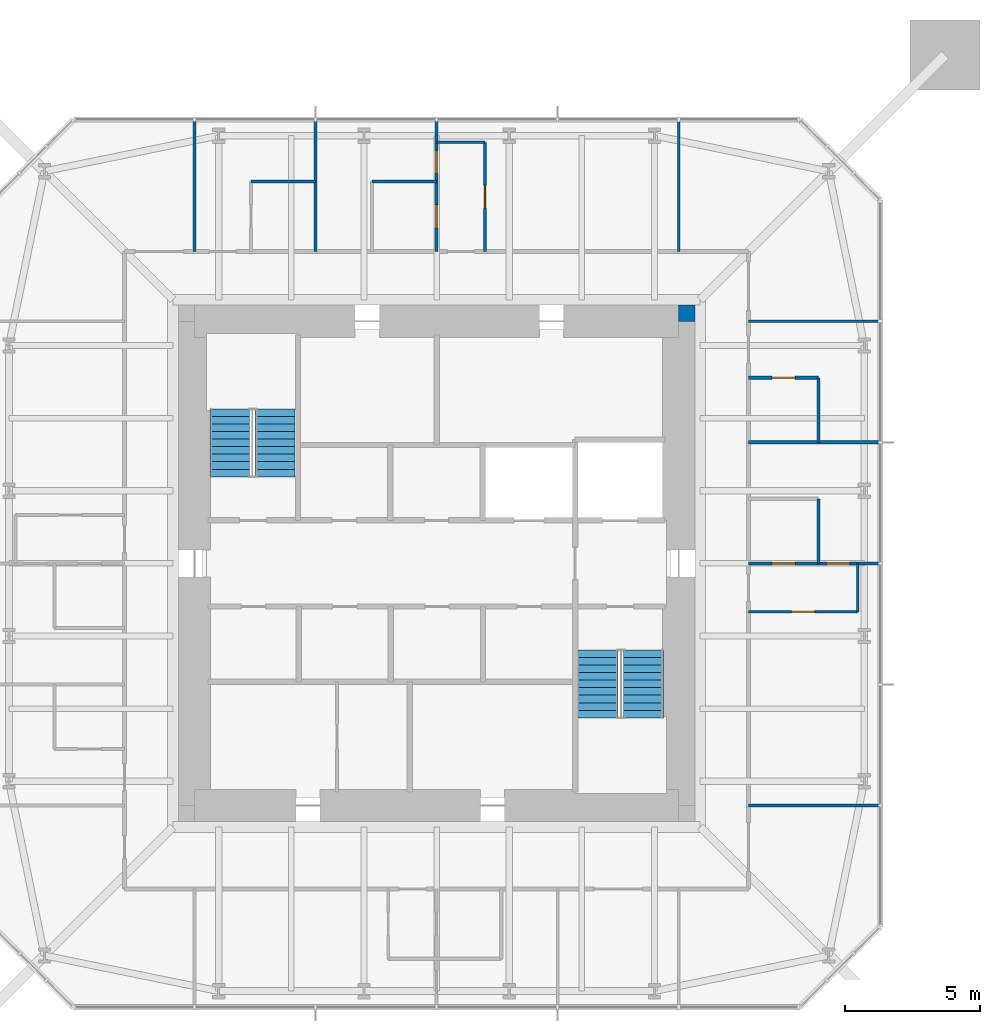
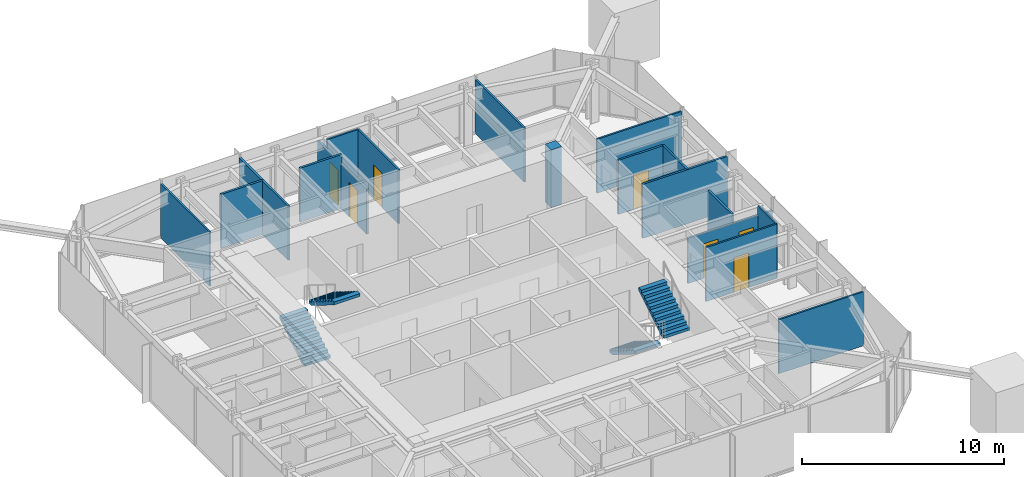
# One storey, part 8 of 9: 18 walls, 7 doors, 4 stair flights, 7 openings, 2 elements without a shape of their own.
"""IFC4 building model written with IfcOpenShell, lengths in metres."""

from ifc_helpers import new_model, si_unit, direction, frame, frame_2d, origin, place, context, subcontext, project, spatial, polyline, rectangle, outline, extrude, material, layer, layer_set, constituent, constituent_set, type_object, element, fill, aggregate, save


model = new_model("IFC4")

# Units and contexts
model_context = context("Model", 3, precision=1e-05, world=origin(), true_north=direction((0.0, 1.0)))
body_context = subcontext(model_context, "Body", "Model", "MODEL_VIEW")
ifc_project = project(units=[si_unit("LENGTHUNIT", "METRE"), si_unit("AREAUNIT", "SQUARE_METRE"), si_unit("VOLUMEUNIT", "CUBIC_METRE"), si_unit("PLANEANGLEUNIT", "RADIAN"), si_unit("MASSUNIT", "GRAM", prefix="KILO")], contexts=[model_context])

# Site, building, storey
site_placement = place(None, origin())
site = spatial("IfcSite", under=ifc_project, at=site_placement, CompositionType="ELEMENT")
building_placement = place(site_placement, origin())
building = spatial("IfcBuilding", under=site, at=building_placement, Name="Iwan Alto Co-Living Towers", CompositionType="ELEMENT")
storey_placement = place(building_placement, frame((0.0, 0.0, 236.0)))
storey = spatial("IfcBuildingStorey", under=building, at=storey_placement, Name="L64", CompositionType="ELEMENT", Elevation=236.0)

# Wall
ifc_material_1 = material(Name="Gypsum board")
ifc_layer_1 = layer(ifc_material_1, 0.012451171875, Name="Board", Category="Finish")
ifc_material_2 = material(Name="Steel ASTM A1003 ST33H cold-formed studs", Category="steel")
ifc_layer_2 = layer(ifc_material_2, 0.074951171875, Name="Studs", Category="Framing")
ifc_layer_3 = layer(ifc_material_1, 0.012451171875, Name="Board", Category="Finish")
ifc_layer_set_1 = layer_set([ifc_layer_1, ifc_layer_2, ifc_layer_3], Name="PARTITION 100")
wall_type_1 = type_object("IfcWallType", Name="PARTITION 100", PredefinedType="PARTITIONING", material=ifc_layer_set_1)
wall_1_placement = place(storey_placement, frame((11.60009765625, -9.0, 0.0), z_axis=(0.0, 0.0, 1.0), x_axis=(1.0, 0.0, 0.0)))
element("IfcWall", 1, at=wall_1_placement, inside=storey, type_object=wall_type_1, Name="Partition L64", PredefinedType="PARTITIONING", context=body_context, shape_type="SweptSolid", body=[
    extrude(rectangle(XDim=4.83984375, YDim=0.10009765625, at=frame_2d((2.419921875, 0.0))), origin(), (0.0, 0.0, 1.0), 3.27001953125),
])

# Wall, opening, door
wall_2_placement = place(storey_placement, frame((11.60009765625, -1.800048828125, 0.0), z_axis=(0.0, 0.0, 1.0), x_axis=(1.0, 0.0, 0.0)))
wall_2 = element("IfcWall", 2, at=wall_2_placement, inside=storey, type_object=wall_type_1, Name="Partition L64", PredefinedType="PARTITIONING", context=body_context, shape_type="SweptSolid", body=[
    extrude(rectangle(XDim=4.0498046875, YDim=0.10009765625, at=frame_2d((2.02490234375, 0.0))), origin(), (0.0, 0.0, 1.0), 3.27001953125),
])
opening_1_placement = place(wall_2_placement, frame((1.60009765625, 0.0, 0.0)))
opening_1 = element("IfcOpeningElement", 3, at=opening_1_placement, cuts=wall_2, Name="Opening D2", PredefinedType="OPENING", context=body_context, shape_type="SweptSolid", body=[
    extrude(rectangle(XDim=0.85009765625, YDim=2.10009765625, at=frame_2d((0.425048828125, 1.050048828125))), frame((0.0, 0.06005859375, 0.0), z_axis=(0.0, -1.0, 0.0), x_axis=(1.0, 0.0, 0.0)), (0.0, 0.0, 1.0), 0.1201171875),
])
ifc_material_3 = material(Name="Timber leaf in steel frame", Category="steel")
door_type = type_object("IfcDoorType", Name="ROOM DOOR 850X2100", OperationType="SINGLE_SWING_LEFT", PredefinedType="DOOR", material=ifc_material_3)
door_1_placement = place(opening_1_placement, frame((0.85009765625, 0.0, 0.0), z_axis=(0.0, 0.0, 1.0), x_axis=(-1.0, 0.0, 0.0)))
door_1 = element("IfcDoor", 4, at=door_1_placement, inside=storey, type_object=door_type, Name="Apartment foyer door L64", OperationType="SINGLE_SWING_RIGHT", OverallHeight=2.10009765625, OverallWidth=0.85009765625, PredefinedType="DOOR", context=body_context, shape_type="SweptSolid", body=[
    extrude(rectangle(XDim=0.85009765625, YDim=2.10009765625, at=frame_2d((0.425048828125, 1.050048828125))), frame((0.0, 0.02490234375, 0.0), z_axis=(0.0, -1.0, 0.0), x_axis=(1.0, 0.0, 0.0)), (0.0, 0.0, 1.0), 0.050048828125),
])
fill(opening_1, door_1)

# Walls
wall_3_placement = place(storey_placement, frame((11.60009765625, 9.0, 0.0), z_axis=(0.0, 0.0, 1.0), x_axis=(1.0, 0.0, 0.0)))
element("IfcWall", 5, at=wall_3_placement, inside=storey, type_object=wall_type_1, Name="Partition L64", PredefinedType="PARTITIONING", context=body_context, shape_type="SweptSolid", body=[
    extrude(rectangle(XDim=4.83984375, YDim=0.10009765625, at=frame_2d((2.419921875, 0.0))), origin(), (0.0, 0.0, 1.0), 3.27001953125),
])
for number, where, z_axis, x_axis, name in (
    (6, (0.0, 15.64990234375, 0.0), (0.0, 0.0, 1.0), (1.0, 0.0, 0.0), "Partition L64"),
    (7, (15.64990234375, -1.800048828125, 0.0), (0.0, 0.0, 1.0), (0.0, 1.0, 0.0), "Partition L64"),
):
    element("IfcWall", number, at=place(storey_placement, frame(where, z_axis=z_axis, x_axis=x_axis)), inside=storey, type_object=wall_type_1, Name=name, PredefinedType="PARTITIONING", context=body_context, shape_type="SweptSolid", body=[
        extrude(rectangle(XDim=1.800048828125, YDim=0.10009765625, at=frame_2d((0.89990234375, 0.0))), origin(), (0.0, 0.0, 1.0), 3.27001953125),
    ])
wall_4_placement = place(storey_placement, frame((9.0, 11.60009765625, 0.0), z_axis=(0.0, 0.0, 1.0), x_axis=(0.0, 1.0, 0.0)))
element("IfcWall", 8, at=wall_4_placement, inside=storey, type_object=wall_type_1, Name="Partition L64", PredefinedType="PARTITIONING", context=body_context, shape_type="SweptSolid", body=[
    extrude(rectangle(XDim=4.83984375, YDim=0.10009765625, at=frame_2d((2.419921875, 0.0))), origin(), (0.0, 0.0, 1.0), 3.27001953125),
])

# Wall, opening, door
wall_5_placement = place(storey_placement, frame((1.800048828125, 11.60009765625, 0.0), z_axis=(0.0, 0.0, 1.0), x_axis=(0.0, 1.0, 0.0)))
wall_5 = element("IfcWall", 9, at=wall_5_placement, inside=storey, type_object=wall_type_1, Name="Partition L64", PredefinedType="PARTITIONING", context=body_context, shape_type="SweptSolid", body=[
    extrude(rectangle(XDim=4.0498046875, YDim=0.10009765625, at=frame_2d((2.02490234375, 0.0))), origin(), (0.0, 0.0, 1.0), 3.27001953125),
])
opening_2_placement = place(wall_5_placement, frame((1.60009765625, 0.0, 0.0)))
opening_2 = element("IfcOpeningElement", 10, at=opening_2_placement, cuts=wall_5, Name="Opening D2", PredefinedType="OPENING", context=body_context, shape_type="SweptSolid", body=[
    extrude(rectangle(XDim=0.85009765625, YDim=2.10009765625, at=frame_2d((0.425048828125, 1.050048828125))), frame((0.0, 0.06005859375, 0.0), z_axis=(0.0, -1.0, 0.0), x_axis=(1.0, 0.0, 0.0)), (0.0, 0.0, 1.0), 0.1201171875),
])
door_2_placement = place(opening_2_placement, frame((0.85009765625, 0.0, 0.0), z_axis=(0.0, 0.0, 1.0), x_axis=(-1.0, 0.0, 0.0)))
door_2 = element("IfcDoor", 11, at=door_2_placement, inside=storey, type_object=door_type, Name="Apartment foyer door L64", OperationType="SINGLE_SWING_RIGHT", OverallHeight=2.10009765625, OverallWidth=0.85009765625, PredefinedType="DOOR", context=body_context, shape_type="SweptSolid", body=[
    extrude(rectangle(XDim=0.85009765625, YDim=2.10009765625, at=frame_2d((0.425048828125, 1.050048828125))), frame((0.0, 0.02490234375, 0.0), z_axis=(0.0, -1.0, 0.0), x_axis=(1.0, 0.0, 0.0)), (0.0, 0.0, 1.0), 0.050048828125),
])
fill(opening_2, door_2)

# Walls
wall_6_placement = place(storey_placement, frame((-9.0, 11.60009765625, 0.0), z_axis=(0.0, 0.0, 1.0), x_axis=(0.0, 1.0, 0.0)))
element("IfcWall", 12, at=wall_6_placement, inside=storey, type_object=wall_type_1, Name="Partition L64", PredefinedType="PARTITIONING", context=body_context, shape_type="SweptSolid", body=[
    extrude(rectangle(XDim=4.83984375, YDim=0.10009765625, at=frame_2d((2.419921875, 0.0))), origin(), (0.0, 0.0, 1.0), 3.27001953125),
])
ifc_material_4 = material(Name="Concrete f'c 70 MPa", Category="concrete")
ifc_layer_4 = layer(ifc_material_4, 0.60009765625)
ifc_layer_set_2 = layer_set([ifc_layer_4], Name="T1 CORE CORNER FILL 600")
wall_type_2 = type_object("IfcWallType", Name="T1 CORE CORNER FILL 600", PredefinedType="SOLIDWALL", material=ifc_layer_set_2)
wall_7_placement = place(storey_placement, frame((9.0, 9.300048828125, 0.0), z_axis=(0.0, 0.0, 1.0), x_axis=(1.0, 0.0, 0.0)))
element("IfcWall", 13, at=wall_7_placement, inside=storey, type_object=wall_type_2, Name="T1 core corner NE L64", PredefinedType="SOLIDWALL", context=body_context, shape_type="SweptSolid", body=[
    extrude(rectangle(XDim=0.60009765625, YDim=0.60009765625, at=frame_2d((0.300048828125, 0.0))), origin(), (0.0, 0.0, 1.0), 3.5),
])

# Wall, openings, doors
ifc_material_5 = material(Name="Cement board")
ifc_layer_5 = layer(ifc_material_5, 0.012451171875, Name="Board", Category="Finish")
ifc_layer_6 = layer(ifc_material_2, 0.094970703125, Name="Studs", Category="Framing")
ifc_layer_7 = layer(ifc_material_5, 0.012451171875, Name="Board", Category="Finish")
ifc_layer_set_3 = layer_set([ifc_layer_5, ifc_layer_6, ifc_layer_7], Name="WET AREA PARTITION 120")
wall_type_3 = type_object("IfcWallType", Name="WET AREA PARTITION 120", PredefinedType="PARTITIONING", material=ifc_layer_set_3)
wall_8_placement = place(storey_placement, frame((11.60009765625, 0.0, 0.0), z_axis=(0.0, 0.0, 1.0), x_axis=(1.0, 0.0, 0.0)))
wall_8 = element("IfcWall", 14, at=wall_8_placement, inside=storey, type_object=wall_type_3, Name="Partition L64", PredefinedType="PARTITIONING", context=body_context, shape_type="SweptSolid", body=[
    extrude(rectangle(XDim=4.83984375, YDim=0.1201171875, at=frame_2d((2.419921875, 0.0))), origin(), (0.0, 0.0, 1.0), 2.736572265625),
])
opening_3_placement = place(wall_8_placement, frame((2.89990234375, 0.0, 0.0)))
opening_3 = element("IfcOpeningElement", 15, at=opening_3_placement, cuts=wall_8, Name="Opening D2", PredefinedType="OPENING", context=body_context, shape_type="SweptSolid", body=[
    extrude(rectangle(XDim=0.85009765625, YDim=2.10009765625, at=frame_2d((0.425048828125, 1.050048828125))), frame((0.0, 0.070068359375, 0.0), z_axis=(0.0, -1.0, 0.0), x_axis=(1.0, 0.0, 0.0)), (0.0, 0.0, 1.0), 0.14013671875),
])
opening_4_placement = place(wall_8_placement, frame((0.875, 0.0, 0.0)))
opening_4 = element("IfcOpeningElement", 16, at=opening_4_placement, cuts=wall_8, Name="Opening D2", PredefinedType="OPENING", context=body_context, shape_type="SweptSolid", body=[
    extrude(rectangle(XDim=0.85009765625, YDim=2.10009765625, at=frame_2d((0.425048828125, 1.050048828125))), frame((0.0, 0.070068359375, 0.0), z_axis=(0.0, -1.0, 0.0), x_axis=(1.0, 0.0, 0.0)), (0.0, 0.0, 1.0), 0.14013671875),
])
door_3_placement = place(opening_3_placement, origin())
door_3 = element("IfcDoor", 17, at=door_3_placement, inside=storey, type_object=door_type, Name="Bedroom door L64", OperationType="SINGLE_SWING_LEFT", OverallHeight=2.10009765625, OverallWidth=0.85009765625, PredefinedType="DOOR", context=body_context, shape_type="SweptSolid", body=[
    extrude(rectangle(XDim=0.85009765625, YDim=2.10009765625, at=frame_2d((0.425048828125, 1.050048828125))), frame((0.0, 0.02490234375, 0.0), z_axis=(0.0, -1.0, 0.0), x_axis=(1.0, 0.0, 0.0)), (0.0, 0.0, 1.0), 0.050048828125),
])
fill(opening_3, door_3)
door_4_placement = place(opening_4_placement, origin())
door_4 = element("IfcDoor", 18, at=door_4_placement, inside=storey, type_object=door_type, Name="Bathroom door L64", OperationType="SINGLE_SWING_LEFT", OverallHeight=2.10009765625, OverallWidth=0.85009765625, PredefinedType="DOOR", context=body_context, shape_type="SweptSolid", body=[
    extrude(rectangle(XDim=0.85009765625, YDim=2.10009765625, at=frame_2d((0.425048828125, 1.050048828125))), frame((0.0, 0.02490234375, 0.0), z_axis=(0.0, -1.0, 0.0), x_axis=(1.0, 0.0, 0.0)), (0.0, 0.0, 1.0), 0.050048828125),
])
fill(opening_4, door_4)

# Wall
wall_9_placement = place(storey_placement, frame((11.60009765625, 4.5, 0.0), z_axis=(0.0, 0.0, 1.0), x_axis=(1.0, 0.0, 0.0)))
element("IfcWall", 19, at=wall_9_placement, inside=storey, type_object=wall_type_3, Name="Partition L64", PredefinedType="PARTITIONING", context=body_context, shape_type="SweptSolid", body=[
    extrude(rectangle(XDim=4.83984375, YDim=0.1201171875, at=frame_2d((2.419921875, 0.0))), origin(), (0.0, 0.0, 1.0), 3.27001953125),
])

# Wall, opening, door
wall_10_placement = place(storey_placement, frame((11.60009765625, 6.89990234375, 0.0), z_axis=(0.0, 0.0, 1.0), x_axis=(1.0, 0.0, 0.0)))
wall_10 = element("IfcWall", 20, at=wall_10_placement, inside=storey, type_object=wall_type_3, Name="Partition L64", PredefinedType="PARTITIONING", context=body_context, shape_type="SweptSolid", body=[
    extrude(rectangle(XDim=2.599853515625, YDim=0.1201171875, at=frame_2d((1.2998046875, 0.0))), origin(), (0.0, 0.0, 1.0), 3.27001953125),
])
opening_5_placement = place(wall_10_placement, frame((0.875, 0.0, 0.0)))
opening_5 = element("IfcOpeningElement", 21, at=opening_5_placement, cuts=wall_10, Name="Opening D2", PredefinedType="OPENING", context=body_context, shape_type="SweptSolid", body=[
    extrude(rectangle(XDim=0.85009765625, YDim=2.10009765625, at=frame_2d((0.425048828125, 1.050048828125))), frame((0.0, 0.070068359375, 0.0), z_axis=(0.0, -1.0, 0.0), x_axis=(1.0, 0.0, 0.0)), (0.0, 0.0, 1.0), 0.14013671875),
])
door_5_placement = place(opening_5_placement, origin())
door_5 = element("IfcDoor", 22, at=door_5_placement, inside=storey, type_object=door_type, Name="En-suite shower room door L64", OperationType="SINGLE_SWING_LEFT", OverallHeight=2.10009765625, OverallWidth=0.85009765625, PredefinedType="DOOR", context=body_context, shape_type="SweptSolid", body=[
    extrude(rectangle(XDim=0.85009765625, YDim=2.10009765625, at=frame_2d((0.425048828125, 1.050048828125))), frame((0.0, 0.02490234375, 0.0), z_axis=(0.0, -1.0, 0.0), x_axis=(1.0, 0.0, 0.0)), (0.0, 0.0, 1.0), 0.050048828125),
])
fill(opening_5, door_5)

# Walls
for number, where, z_axis, x_axis, name in (
    (23, (-6.89990234375, 14.199951171875, 0.0), (0.0, 0.0, 1.0), (1.0, 0.0, 0.0), "Partition L64"),
    (24, (-2.39990234375, 14.199951171875, 0.0), (0.0, 0.0, 1.0), (1.0, 0.0, 0.0), "Partition L64"),
    (25, (14.199951171875, 0.0, 0.0), (0.0, 0.0, 1.0), (0.0, 1.0, 0.0), "Partition L64"),
    (26, (14.199951171875, 4.5, 0.0), (0.0, 0.0, 1.0), (0.0, 1.0, 0.0), "Partition L64"),
):
    element("IfcWall", number, at=place(storey_placement, frame(where, z_axis=z_axis, x_axis=x_axis)), inside=storey, type_object=wall_type_3, Name=name, PredefinedType="PARTITIONING", context=body_context, shape_type="SweptSolid", body=[
        extrude(rectangle(XDim=2.39990234375, YDim=0.1201171875, at=frame_2d((1.199951171875, 0.0))), origin(), (0.0, 0.0, 1.0), 3.27001953125),
    ])

# Wall, openings, doors
wall_11_placement = place(storey_placement, frame((0.0, 11.60009765625, 0.0), z_axis=(0.0, 0.0, 1.0), x_axis=(0.0, 1.0, 0.0)))
wall_11 = element("IfcWall", 27, at=wall_11_placement, inside=storey, type_object=wall_type_3, Name="Partition L64", PredefinedType="PARTITIONING", context=body_context, shape_type="SweptSolid", body=[
    extrude(rectangle(XDim=4.83984375, YDim=0.1201171875, at=frame_2d((2.419921875, 0.0))), origin(), (0.0, 0.0, 1.0), 2.736572265625),
])
opening_6_placement = place(wall_11_placement, frame((2.89990234375, 0.0, 0.0)))
opening_6 = element("IfcOpeningElement", 28, at=opening_6_placement, cuts=wall_11, Name="Opening D2", PredefinedType="OPENING", context=body_context, shape_type="SweptSolid", body=[
    extrude(rectangle(XDim=0.85009765625, YDim=2.10009765625, at=frame_2d((0.425048828125, 1.050048828125))), frame((0.0, 0.070068359375, 0.0), z_axis=(0.0, -1.0, 0.0), x_axis=(1.0, 0.0, 0.0)), (0.0, 0.0, 1.0), 0.14013671875),
])
opening_7_placement = place(wall_11_placement, frame((0.875, 0.0, 0.0)))
opening_7 = element("IfcOpeningElement", 29, at=opening_7_placement, cuts=wall_11, Name="Opening D2", PredefinedType="OPENING", context=body_context, shape_type="SweptSolid", body=[
    extrude(rectangle(XDim=0.85009765625, YDim=2.10009765625, at=frame_2d((0.425048828125, 1.050048828125))), frame((0.0, 0.070068359375, 0.0), z_axis=(0.0, -1.0, 0.0), x_axis=(1.0, 0.0, 0.0)), (0.0, 0.0, 1.0), 0.14013671875),
])
door_6_placement = place(opening_6_placement, origin())
door_6 = element("IfcDoor", 30, at=door_6_placement, inside=storey, type_object=door_type, Name="Bedroom door L64", OperationType="SINGLE_SWING_LEFT", OverallHeight=2.10009765625, OverallWidth=0.85009765625, PredefinedType="DOOR", context=body_context, shape_type="SweptSolid", body=[
    extrude(rectangle(XDim=0.85009765625, YDim=2.10009765625, at=frame_2d((0.425048828125, 1.050048828125))), frame((0.0, 0.02490234375, 0.0), z_axis=(0.0, -1.0, 0.0), x_axis=(1.0, 0.0, 0.0)), (0.0, 0.0, 1.0), 0.050048828125),
])
fill(opening_6, door_6)
door_7_placement = place(opening_7_placement, origin())
door_7 = element("IfcDoor", 31, at=door_7_placement, inside=storey, type_object=door_type, Name="Bathroom door L64", OperationType="SINGLE_SWING_LEFT", OverallHeight=2.10009765625, OverallWidth=0.85009765625, PredefinedType="DOOR", context=body_context, shape_type="SweptSolid", body=[
    extrude(rectangle(XDim=0.85009765625, YDim=2.10009765625, at=frame_2d((0.425048828125, 1.050048828125))), frame((0.0, 0.02490234375, 0.0), z_axis=(0.0, -1.0, 0.0), x_axis=(1.0, 0.0, 0.0)), (0.0, 0.0, 1.0), 0.050048828125),
])
fill(opening_7, door_7)

# Wall
wall_12_placement = place(storey_placement, frame((-4.5, 11.60009765625, 0.0), z_axis=(0.0, 0.0, 1.0), x_axis=(0.0, 1.0, 0.0)))
element("IfcWall", 32, at=wall_12_placement, inside=storey, type_object=wall_type_3, Name="Partition L64", PredefinedType="PARTITIONING", context=body_context, shape_type="SweptSolid", body=[
    extrude(rectangle(XDim=4.83984375, YDim=0.1201171875, at=frame_2d((2.419921875, 0.0))), origin(), (0.0, 0.0, 1.0), 3.27001953125),
])

# Stair, stair flights
ifc_material_6 = material(Name="Steel ASTM A36", Category="steel")
ifc_constituent_1 = constituent(ifc_material_6, Name="Stringers", Category="LoadBearing")
ifc_material_7 = material(Name="Concrete f'c 30 MPa", Category="concrete")
ifc_constituent_2 = constituent(ifc_material_7, Name="Tread fill", Category="Finish")
ifc_constituent_set_1 = constituent_set(constituents=[ifc_constituent_1, ifc_constituent_2], Name="STAIR 3500 TWO-FLIGHT T1 CORE")
stair_type = type_object("IfcStairType", Name="STAIR 3500 TWO-FLIGHT T1 CORE", PredefinedType="HALF_TURN_STAIR", material=ifc_constituent_set_1)
stair_1_placement = place(storey_placement, origin())
stair_1 = element("IfcStair", 33, at=stair_1_placement, inside=storey, type_object=stair_type, Name="Stair T1-S1 L64 to L65", PredefinedType="HALF_TURN_STAIR")
ifc_constituent_3 = constituent(ifc_material_6, Name="Stringers", Category="LoadBearing")
ifc_constituent_4 = constituent(ifc_material_7, Name="Tread fill", Category="Finish")
ifc_constituent_set_2 = constituent_set(constituents=[ifc_constituent_3, ifc_constituent_4], Name="STAIR FLIGHT 10 RISERS 280 GOING")
stair_flight_type = type_object("IfcStairFlightType", Name="STAIR FLIGHT 10 RISERS 280 GOING", PredefinedType="STRAIGHT", material=ifc_constituent_set_2)
stair_flight_1_placement = place(storey_placement, frame((-7.68994140625, 3.219970703125, 0.0), z_axis=(0.0, 0.0, 1.0), x_axis=(0.0, 1.0, 0.0)))
stair_flight_1 = element("IfcStairFlight", 34, at=stair_flight_1_placement, type_object=stair_flight_type, Name="T1-S1 flight 1", NumberOfRisers=10, NumberOfTreads=9, PredefinedType="STRAIGHT", RiserHeight=0.175, TreadLength=0.28, context=body_context, shape_type="SweptSolid", body=[
    extrude(outline(polyline([(0.0, 0.0), (0.0, 0.175048828125), (0.280029296875, 0.175048828125), (0.280029296875, 0.35009765625), (0.56005859375, 0.35009765625), (0.56005859375, 0.52490234375), (0.840087890625, 0.52490234375), (0.840087890625, 0.699951171875), (1.1201171875, 0.699951171875), (1.1201171875, 0.875), (1.39990234375, 0.875), (1.39990234375, 1.050048828125), (1.679931640625, 1.050048828125), (1.679931640625, 1.22509765625), (1.9599609375, 1.22509765625), (1.9599609375, 1.39990234375), (2.239990234375, 1.39990234375), (2.239990234375, 1.574951171875), (2.52001953125, 1.574951171875), (2.52001953125, 1.75), (2.52001953125, 1.398193359375), (0.28271484375, 0.0), (0.0, 0.0)])), frame((0.0, 0.739990234375, 0.0), z_axis=(0.0, -1.0, 0.0), x_axis=(1.0, 0.0, 0.0)), (0.0, 0.0, 1.0), 1.47998046875),
])
stair_flight_2_placement = place(storey_placement, frame((-6.010009765625, 5.739990234375, 1.75), z_axis=(0.0, 0.0, 1.0), x_axis=(0.0, -1.0, 0.0)))
stair_flight_2 = element("IfcStairFlight", 35, at=stair_flight_2_placement, type_object=stair_flight_type, Name="T1-S1 flight 2", NumberOfRisers=10, NumberOfTreads=9, PredefinedType="STRAIGHT", RiserHeight=0.175, TreadLength=0.28, context=body_context, shape_type="SweptSolid", body=[
    extrude(outline(polyline([(0.0, 0.0), (0.0, 0.175048828125), (0.280029296875, 0.175048828125), (0.280029296875, 0.35009765625), (0.56005859375, 0.35009765625), (0.56005859375, 0.52490234375), (0.840087890625, 0.52490234375), (0.840087890625, 0.699951171875), (1.1201171875, 0.699951171875), (1.1201171875, 0.875), (1.39990234375, 0.875), (1.39990234375, 1.050048828125), (1.679931640625, 1.050048828125), (1.679931640625, 1.22509765625), (1.9599609375, 1.22509765625), (1.9599609375, 1.39990234375), (2.239990234375, 1.39990234375), (2.239990234375, 1.574951171875), (2.52001953125, 1.574951171875), (2.52001953125, 1.75), (2.52001953125, 1.398193359375), (0.28271484375, 0.0), (0.0, 0.0)])), frame((0.0, 0.739990234375, 0.0), z_axis=(0.0, -1.0, 0.0), x_axis=(1.0, 0.0, 0.0)), (0.0, 0.0, 1.0), 1.47998046875),
])
aggregate(stair_1, [stair_flight_1, stair_flight_2])

stair_2_placement = place(storey_placement, origin())
stair_2 = element("IfcStair", 36, at=stair_2_placement, inside=storey, type_object=stair_type, Name="Stair T1-S2 L64 to L65", PredefinedType="HALF_TURN_STAIR")
stair_flight_3_placement = place(storey_placement, frame((6.010009765625, -3.219970703125, 0.0), z_axis=(0.0, 0.0, 1.0), x_axis=(0.0, -1.0, 0.0)))
stair_flight_3 = element("IfcStairFlight", 37, at=stair_flight_3_placement, type_object=stair_flight_type, Name="T1-S2 flight 1", NumberOfRisers=10, NumberOfTreads=9, PredefinedType="STRAIGHT", RiserHeight=0.175, TreadLength=0.28, context=body_context, shape_type="SweptSolid", body=[
    extrude(outline(polyline([(0.0, 0.0), (0.0, 0.175048828125), (0.280029296875, 0.175048828125), (0.280029296875, 0.35009765625), (0.56005859375, 0.35009765625), (0.56005859375, 0.52490234375), (0.840087890625, 0.52490234375), (0.840087890625, 0.699951171875), (1.1201171875, 0.699951171875), (1.1201171875, 0.875), (1.39990234375, 0.875), (1.39990234375, 1.050048828125), (1.679931640625, 1.050048828125), (1.679931640625, 1.22509765625), (1.9599609375, 1.22509765625), (1.9599609375, 1.39990234375), (2.239990234375, 1.39990234375), (2.239990234375, 1.574951171875), (2.52001953125, 1.574951171875), (2.52001953125, 1.75), (2.52001953125, 1.398193359375), (0.28271484375, 0.0), (0.0, 0.0)])), frame((0.0, 0.739990234375, 0.0), z_axis=(0.0, -1.0, 0.0), x_axis=(1.0, 0.0, 0.0)), (0.0, 0.0, 1.0), 1.47998046875),
])
stair_flight_4_placement = place(storey_placement, frame((7.68994140625, -5.739990234375, 1.75), z_axis=(0.0, 0.0, 1.0), x_axis=(0.0, 1.0, 0.0)))
stair_flight_4 = element("IfcStairFlight", 38, at=stair_flight_4_placement, type_object=stair_flight_type, Name="T1-S2 flight 2", NumberOfRisers=10, NumberOfTreads=9, PredefinedType="STRAIGHT", RiserHeight=0.175, TreadLength=0.28, context=body_context, shape_type="SweptSolid", body=[
    extrude(outline(polyline([(0.0, 0.0), (0.0, 0.175048828125), (0.280029296875, 0.175048828125), (0.280029296875, 0.35009765625), (0.56005859375, 0.35009765625), (0.56005859375, 0.52490234375), (0.840087890625, 0.52490234375), (0.840087890625, 0.699951171875), (1.1201171875, 0.699951171875), (1.1201171875, 0.875), (1.39990234375, 0.875), (1.39990234375, 1.050048828125), (1.679931640625, 1.050048828125), (1.679931640625, 1.22509765625), (1.9599609375, 1.22509765625), (1.9599609375, 1.39990234375), (2.239990234375, 1.39990234375), (2.239990234375, 1.574951171875), (2.52001953125, 1.574951171875), (2.52001953125, 1.75), (2.52001953125, 1.398193359375), (0.28271484375, 0.0), (0.0, 0.0)])), frame((0.0, 0.739990234375, 0.0), z_axis=(0.0, -1.0, 0.0), x_axis=(1.0, 0.0, 0.0)), (0.0, 0.0, 1.0), 1.47998046875),
])
aggregate(stair_2, [stair_flight_3, stair_flight_4])

save(model, "model.ifc")
